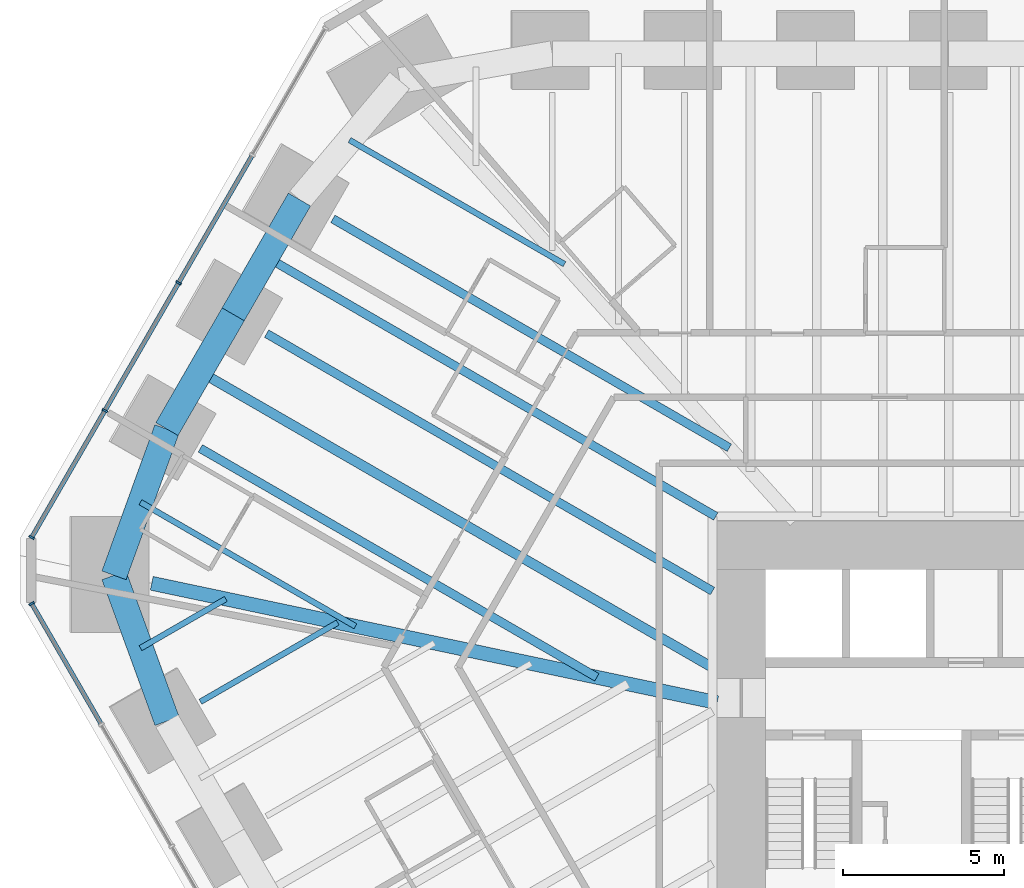
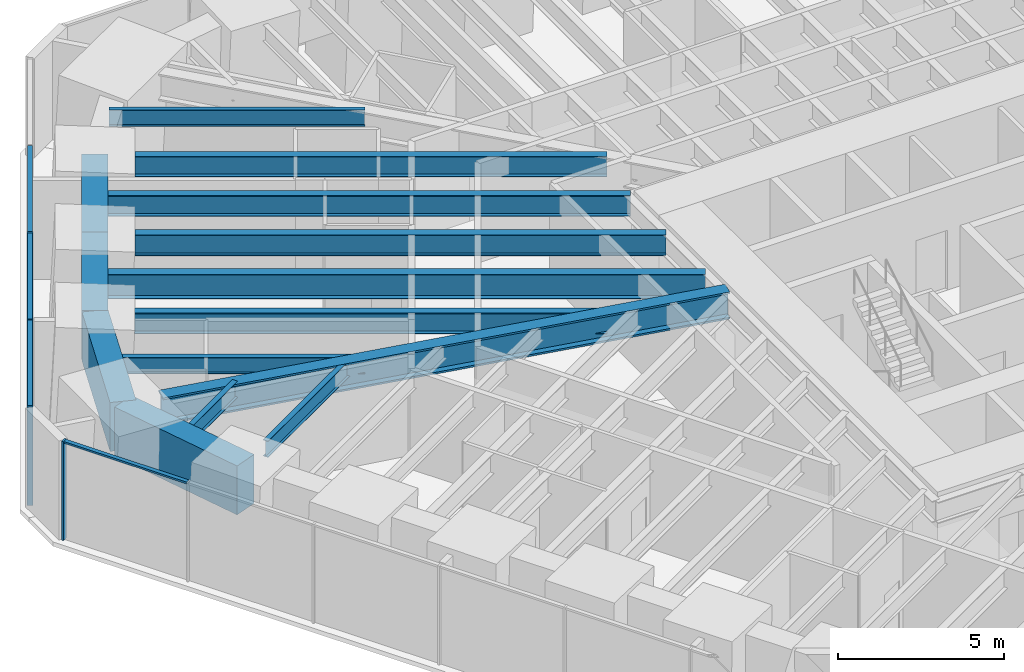
# One storey, part 7 of 17: 14 beams, 8 members, 2 elements without a shape of their own.
"""IFC4 building model written with IfcOpenShell, lengths in metres."""

from ifc_helpers import new_model, si_unit, direction, frame, origin, origin_2d, place, context, subcontext, project, spatial, rectangle, i_section, extrude, material, material_profile, profile_set, type_object, element, aggregate, save


model = new_model("IFC4")

# Units and contexts
model_context = context("Model", 3, precision=1e-05, world=origin(), true_north=direction((0.0, 1.0)))
body_context = subcontext(model_context, "Body", "Model", "MODEL_VIEW")
ifc_project = project(units=[si_unit("LENGTHUNIT", "METRE"), si_unit("AREAUNIT", "SQUARE_METRE"), si_unit("VOLUMEUNIT", "CUBIC_METRE"), si_unit("PLANEANGLEUNIT", "RADIAN"), si_unit("MASSUNIT", "GRAM", prefix="KILO")], contexts=[model_context])

# Site, building, storey
site_placement = place(None, origin())
site = spatial("IfcSite", under=ifc_project, at=site_placement, CompositionType="ELEMENT")
building_placement = place(site_placement, origin())
building = spatial("IfcBuilding", under=site, at=building_placement, Name="Sandreach Pilgrim Tower", CompositionType="ELEMENT")
storey_placement = place(building_placement, frame((0.0, 0.0, 68.60009765625)))
storey = spatial("IfcBuildingStorey", under=building, at=storey_placement, Name="L16", CompositionType="ELEMENT", Elevation=68.60009765625)

# Curtain wall, member
ifc_material_1 = material(Name="Aluminium framed curtain wall", Category="aluminium")
curtain_wall_type = type_object("IfcCurtainWallType", Name="Hostel tower curtain wall", PredefinedType="NOTDEFINED", material=ifc_material_1)
curtain_wall_1_placement = place(storey_placement, origin())
curtain_wall_1 = element("IfcCurtainWall", 1, at=curtain_wall_1_placement, inside=storey, type_object=curtain_wall_type, Name="CW-1 L16 SW", PredefinedType="NOTDEFINED")
ifc_material_2 = material(Name="Aluminium extrusion", Category="aluminium")
ifc_material_profile_1 = material_profile(ifc_material_2, rectangle(XDim=0.06494140625, YDim=0.179931640625, at=origin_2d()), Name="CW-1M 65X180")
ifc_profile_set_1 = profile_set([ifc_material_profile_1], Name="Aluminium extrusion")
member_type_1 = type_object("IfcMemberType", Name="CW-1 mullion", PredefinedType="MULLION", material=ifc_profile_set_1)
member_1_placement = place(storey_placement, frame((-30.56005859375, 5.033935546875, 0.0), z_axis=(0.0, 0.0, 1.0), x_axis=(-0.5, 0.866025403784, 0.0)))
member_1 = element("IfcMember", 2, at=member_1_placement, type_object=member_type_1, Name="CW-1 mullion 10", PredefinedType="MULLION", context=body_context, shape_type="SweptSolid", body=[
    extrude(rectangle(XDim=0.06494140625, YDim=0.179931640625, at=origin_2d()), origin(), (0.0, 0.0, 1.0), 3.639892578125),
])

# Curtain wall, members
curtain_wall_2_placement = place(storey_placement, origin())
curtain_wall_2 = element("IfcCurtainWall", 3, at=curtain_wall_2_placement, inside=storey, type_object=curtain_wall_type, Name="CW-1 L16 NW", PredefinedType="NOTDEFINED")
member_2_placement = place(storey_placement, frame((-30.56005859375, 7.09033203125, 0.0), z_axis=(0.0, 0.0, 1.0), x_axis=(0.5, 0.866025403784, 0.0)))
member_2 = element("IfcMember", 4, at=member_2_placement, type_object=member_type_1, Name="CW-1 mullion 1", PredefinedType="MULLION", context=body_context, shape_type="SweptSolid", body=[
    extrude(rectangle(XDim=0.06494140625, YDim=0.179931640625, at=origin_2d()), origin(), (0.0, 0.0, 1.0), 3.639892578125),
])
member_3_placement = place(storey_placement, frame((-28.283203125, 11.03369140625, 0.0), z_axis=(0.0, 0.0, 1.0), x_axis=(0.5, 0.866025403784, 0.0)))
member_3 = element("IfcMember", 5, at=member_3_placement, type_object=member_type_1, Name="CW-1 mullion 2", PredefinedType="MULLION", context=body_context, shape_type="SweptSolid", body=[
    extrude(rectangle(XDim=0.06494140625, YDim=0.179931640625, at=origin_2d()), origin(), (0.0, 0.0, 1.0), 3.639892578125),
])
member_4_placement = place(storey_placement, frame((-25.990234375, 15.00537109375, 0.0), z_axis=(0.0, 0.0, 1.0), x_axis=(0.5, 0.866025403784, 0.0)))
member_4 = element("IfcMember", 6, at=member_4_placement, type_object=member_type_1, Name="CW-1 mullion 3", PredefinedType="MULLION", context=body_context, shape_type="SweptSolid", body=[
    extrude(rectangle(XDim=0.06494140625, YDim=0.179931640625, at=origin_2d()), origin(), (0.0, 0.0, 1.0), 3.639892578125),
])

# Member
ifc_material_3 = material(Name="Aluminium extrusion", Category="aluminium")
ifc_material_profile_2 = material_profile(ifc_material_3, rectangle(XDim=0.139892578125, YDim=0.070068359375, at=origin_2d()), Name="CW-1T 140X70")
ifc_profile_set_2 = profile_set([ifc_material_profile_2], Name="Aluminium extrusion")
member_type_2 = type_object("IfcMemberType", Name="CW-1 transom", PredefinedType="USERDEFINED", material=ifc_profile_set_2)
member_5_placement = place(storey_placement, frame((-28.40673828125, 1.304443359375, 3.60498046875), z_axis=(-0.499991113271, 0.866030534479, 0.0), x_axis=(-0.866030534479, -0.499991113271, 0.0)))
member_5 = element("IfcMember", 7, at=member_5_placement, type_object=member_type_2, Name="CW-1 head transom 9", ObjectType="TRANSOM", PredefinedType="USERDEFINED", context=body_context, shape_type="SweptSolid", body=[
    extrude(rectangle(XDim=0.139892578125, YDim=0.070068359375, at=origin_2d()), origin(), (0.0, 0.0, 1.0), 4.27392578125),
])

aggregate(curtain_wall_1, [member_1, member_5])

member_6_placement = place(storey_placement, frame((-30.543701171875, 7.118408203125, 3.60498046875), z_axis=(0.499976706761, 0.866038851724, 0.0), x_axis=(-0.866038851724, 0.499976706761, 0.0)))
member_6 = element("IfcMember", 8, at=member_6_placement, type_object=member_type_2, Name="CW-1 head transom 1", ObjectType="TRANSOM", PredefinedType="USERDEFINED", context=body_context, shape_type="SweptSolid", body=[
    extrude(rectangle(XDim=0.139892578125, YDim=0.070068359375, at=origin_2d()), origin(), (0.0, 0.0, 1.0), 4.488525390625),
])

member_7_placement = place(storey_placement, frame((-28.266845703125, 11.06201171875, 3.60498046875), z_axis=(0.500001366228, 0.866024614991, 0.0), x_axis=(-0.866024614991, 0.500001366228, 0.0)))
member_7 = element("IfcMember", 9, at=member_7_placement, type_object=member_type_2, Name="CW-1 head transom 2", ObjectType="TRANSOM", PredefinedType="USERDEFINED", context=body_context, shape_type="SweptSolid", body=[
    extrude(rectangle(XDim=0.139892578125, YDim=0.070068359375, at=origin_2d()), origin(), (0.0, 0.0, 1.0), 4.52099609375),
])

member_8_placement = place(storey_placement, frame((-25.973876953125, 15.03369140625, 3.60498046875), z_axis=(0.500001366228, 0.866024614991, 0.0), x_axis=(-0.866024614991, 0.500001366228, 0.0)))
member_8 = element("IfcMember", 10, at=member_8_placement, type_object=member_type_2, Name="CW-1 head transom 3", ObjectType="TRANSOM", PredefinedType="USERDEFINED", context=body_context, shape_type="SweptSolid", body=[
    extrude(rectangle(XDim=0.139892578125, YDim=0.070068359375, at=origin_2d()), origin(), (0.0, 0.0, 1.0), 4.52099609375),
])

aggregate(curtain_wall_2, [member_2, member_3, member_4, member_6, member_7, member_8])

# Beams
ifc_material_4 = material(Name="Steel ASTM A992 Grade 50", Category="steel")
ifc_material_profile_3 = material_profile(ifc_material_4, i_section(OverallWidth=0.434326171875, OverallDepth=0.998291015625, WebThickness=0.0380859375, FlangeThickness=0.068115234375, at=origin_2d()), Name="W36X487")
ifc_profile_set_3 = profile_set([ifc_material_profile_3], Name="Steel ASTM A992 Grade 50")
beam_type_1 = type_object("IfcBeamType", Name="Corner girder W36X487", PredefinedType="BEAM", material=ifc_profile_set_3)
beam_1_placement = place(storey_placement, frame((-26.826416015625, 5.663818359375, 3.140869140625), z_axis=(0.978430224976, -0.20657757587, 0.0), x_axis=(0.20657757587, 0.978430224976, 0.0)))
element("IfcBeam", 11, at=beam_1_placement, inside=storey, type_object=beam_type_1, Name="BM L16 CG35", PredefinedType="BEAM", context=body_context, shape_type="SweptSolid", body=[
    extrude(i_section(OverallWidth=0.434326171875, OverallDepth=0.998291015625, WebThickness=0.0380859375, FlangeThickness=0.068115234375, at=origin_2d()), origin(), (0.0, 0.0, 1.0), 17.9638671875),
])
ifc_material_5 = material(Name="Steel ASTM A992 Grade 50", Category="steel")
ifc_material_profile_4 = material_profile(ifc_material_5, i_section(OverallWidth=0.1787109375, OverallDepth=0.60205078125, WebThickness=0.010986328125, FlangeThickness=0.014892578125, at=origin_2d()), Name="W24X62")
ifc_profile_set_4 = profile_set([ifc_material_profile_4], Name="Steel ASTM A992 Grade 50")
beam_type_2 = type_object("IfcBeamType", Name="Floor beam W24X62", PredefinedType="BEAM", material=ifc_profile_set_4)
beam_2_placement = place(storey_placement, frame((-25.312255859375, 1.9814453125, 3.3388671875), z_axis=(0.86601964755, 0.500009969958, 0.0), x_axis=(-0.500009969958, 0.86601964755, 0.0)))
element("IfcBeam", 12, at=beam_2_placement, inside=storey, type_object=beam_type_2, Name="BM L16 F34", PredefinedType="BEAM", context=body_context, shape_type="SweptSolid", body=[
    extrude(i_section(OverallWidth=0.1787109375, OverallDepth=0.60205078125, WebThickness=0.010986328125, FlangeThickness=0.014892578125, at=origin_2d()), origin(), (0.0, 0.0, 1.0), 4.9248046875),
])
beam_3_placement = place(storey_placement, frame((-27.176025390625, 3.646728515625, 3.3388671875), z_axis=(0.866051500264, 0.499954796847, 0.0), x_axis=(-0.499954796847, 0.866051500264, 0.0)))
element("IfcBeam", 13, at=beam_3_placement, inside=storey, type_object=beam_type_2, Name="BM L16 FM34", PredefinedType="BEAM", context=body_context, shape_type="SweptSolid", body=[
    extrude(i_section(OverallWidth=0.1787109375, OverallDepth=0.60205078125, WebThickness=0.010986328125, FlangeThickness=0.014892578125, at=origin_2d()), origin(), (0.0, 0.0, 1.0), 3.062255859375),
])
for number, where, z_axis, x_axis, name in (
    (14, (-27.177490234375, 8.185302734375, 3.3388671875), (0.866020666339, -0.500008205406, 0.0), (0.500008205406, 0.866020666339, 0.0), "BM L16 FM35"),
    (15, (-20.67724609375, 19.44384765625, 3.3388671875), (0.866012755734, -0.500021906426, 0.0), (0.500021906426, 0.866012755734, 0.0), "BM L16 FM38"),
):
    element("IfcBeam", number, at=place(storey_placement, frame(where, z_axis=z_axis, x_axis=x_axis)), inside=storey, type_object=beam_type_2, Name=name, PredefinedType="BEAM", context=body_context, shape_type="SweptSolid", body=[
        extrude(i_section(OverallWidth=0.1787109375, OverallDepth=0.60205078125, WebThickness=0.010986328125, FlangeThickness=0.014892578125, at=origin_2d()), origin(), (0.0, 0.0, 1.0), 7.716064453125),
    ])
ifc_material_6 = material(Name="Steel ASTM A992 Grade 50", Category="steel")
ifc_material_profile_5 = material_profile(ifc_material_6, i_section(OverallWidth=0.2666015625, OverallDepth=0.761962890625, WebThickness=0.014404296875, FlangeThickness=0.021484375, at=origin_2d()), Name="W30X116")
ifc_profile_set_5 = profile_set([ifc_material_profile_5], Name="Steel ASTM A992 Grade 50")
beam_type_3 = type_object("IfcBeamType", Name="Floor beam W30X116", PredefinedType="BEAM", material=ifc_profile_set_5)
for number, where, z_axis, x_axis, name in (
    (16, (-25.315185546875, 9.858642578125, 3.2587890625), (0.866025039732, -0.500000630557, 0.0), (0.500000630557, 0.866025039732, 0.0), "BM L16 F36"),
    (17, (-21.1953125, 16.994140625, 3.2587890625), (0.866025039732, -0.500000630557, 0.0), (0.500000630557, 0.866025039732, 0.0), "BM L16 F38"),
):
    element("IfcBeam", number, at=place(storey_placement, frame(where, z_axis=z_axis, x_axis=x_axis)), inside=storey, type_object=beam_type_3, Name=name, PredefinedType="BEAM", context=body_context, shape_type="SweptSolid", body=[
        extrude(i_section(OverallWidth=0.2666015625, OverallDepth=0.761962890625, WebThickness=0.014404296875, FlangeThickness=0.021484375, at=origin_2d()), origin(), (0.0, 0.0, 1.0), 14.23193359375),
    ])
ifc_material_7 = material(Name="Steel ASTM A992 Grade 50", Category="steel")
ifc_material_profile_6 = material_profile(ifc_material_7, i_section(OverallWidth=0.2666015625, OverallDepth=0.77978515625, WebThickness=0.0166015625, FlangeThickness=0.030029296875, at=origin_2d()), Name="W30X148")
ifc_profile_set_6 = profile_set([ifc_material_profile_6], Name="Steel ASTM A992 Grade 50")
beam_type_4 = type_object("IfcBeamType", Name="Floor beam W30X148", PredefinedType="BEAM", material=ifc_profile_set_6)
beam_4_placement = place(storey_placement, frame((-23.255126953125, 13.426513671875, 3.25), z_axis=(0.866024040474, -0.500002361316, 0.0), x_axis=(0.500002361316, 0.866024040474, 0.0)))
element("IfcBeam", 18, at=beam_4_placement, inside=storey, type_object=beam_type_4, Name="BM L16 F37", PredefinedType="BEAM", context=body_context, shape_type="SweptSolid", body=[
    extrude(i_section(OverallWidth=0.2666015625, OverallDepth=0.77978515625, WebThickness=0.0166015625, FlangeThickness=0.030029296875, at=origin_2d()), origin(), (0.0, 0.0, 1.0), 16.00634765625),
])
beam_5_placement = place(storey_placement, frame((-23.264404296875, 15.810302734375, 3.25), z_axis=(0.866027587406, -0.499996217838, 0.0), x_axis=(0.499996217838, 0.866027587406, 0.0)))
element("IfcBeam", 19, at=beam_5_placement, inside=storey, type_object=beam_type_4, Name="BM L16 FM37", PredefinedType="BEAM", context=body_context, shape_type="SweptSolid", body=[
    extrude(i_section(OverallWidth=0.2666015625, OverallDepth=0.77978515625, WebThickness=0.0166015625, FlangeThickness=0.030029296875, at=origin_2d()), origin(), (0.0, 0.0, 1.0), 16.1337890625),
])
ifc_material_8 = material(Name="Steel ASTM A992 Grade 50", Category="steel")
ifc_material_profile_7 = material_profile(ifc_material_8, i_section(OverallWidth=0.3046875, OverallDepth=0.914306640625, WebThickness=0.0166015625, FlangeThickness=0.02587890625, at=origin_2d()), Name="W36X160")
ifc_profile_set_7 = profile_set([ifc_material_profile_7], Name="Steel ASTM A992 Grade 50")
beam_type_5 = type_object("IfcBeamType", Name="Floor beam W36X160", PredefinedType="BEAM", material=ifc_profile_set_7)
beam_6_placement = place(storey_placement, frame((-25.324462890625, 12.242431640625, 3.1826171875), z_axis=(0.866027785622, -0.499995874514, 0.0), x_axis=(0.499995874514, 0.866027785622, 0.0)))
element("IfcBeam", 20, at=beam_6_placement, inside=storey, type_object=beam_type_5, Name="BM L16 FM36", PredefinedType="BEAM", context=body_context, shape_type="SweptSolid", body=[
    extrude(i_section(OverallWidth=0.3046875, OverallDepth=0.914306640625, WebThickness=0.0166015625, FlangeThickness=0.02587890625, at=origin_2d()), origin(), (0.0, 0.0, 1.0), 18.395751953125),
])
ifc_material_9 = material(Name="Concrete 10000 psi", Category="concrete")
ifc_material_profile_8 = material_profile(ifc_material_9, rectangle(XDim=0.800048828125, YDim=1.800048828125, at=origin_2d()), Name="RC800X1800")
ifc_profile_set_8 = profile_set([ifc_material_profile_8], Name="Concrete 10000 psi")
beam_type_6 = type_object("IfcBeamType", Name="Spandrel beam RC800X1800", PredefinedType="SPANDREL", material=ifc_profile_set_8)
beam_7_placement = place(storey_placement, frame((-26.351318359375, 1.38134765625, 2.739990234375), z_axis=(-0.342056109359, 0.939679529441, 0.0), x_axis=(-0.939679529441, -0.342056109359, 0.0)))
element("IfcBeam", 21, at=beam_7_placement, inside=storey, type_object=beam_type_6, Name="BM L16 SP34", PredefinedType="SPANDREL", context=body_context, shape_type="SweptSolid", body=[
    extrude(rectangle(XDim=0.800048828125, YDim=1.800048828125, at=origin_2d()), origin(), (0.0, 0.0, 1.0), 4.8212890625),
])
beam_8_placement = place(storey_placement, frame((-28.00048828125, 5.911865234375, 2.739990234375), z_axis=(0.340449549345, 0.940262784732, 0.0), x_axis=(-0.940262784732, 0.340449549345, 0.0)))
element("IfcBeam", 22, at=beam_8_placement, inside=storey, type_object=beam_type_6, Name="BM L16 SP35", PredefinedType="SPANDREL", context=body_context, shape_type="SweptSolid", body=[
    extrude(rectangle(XDim=0.800048828125, YDim=1.800048828125, at=origin_2d()), origin(), (0.0, 0.0, 1.0), 4.83544921875),
])
for number, where, z_axis, x_axis, name in (
    (23, (-26.354248046875, 10.45849609375, 2.739990234375), (0.499982362409, 0.866035586613, 0.0), (-0.866035586613, 0.499982362409, 0.0), "BM L16 SP36"),
    (24, (-24.29443359375, 14.0263671875, 2.739990234375), (0.499982362409, 0.866035586613, 0.0), (-0.866035586613, 0.499982362409, 0.0), "BM L16 SP37"),
):
    element("IfcBeam", number, at=place(storey_placement, frame(where, z_axis=z_axis, x_axis=x_axis)), inside=storey, type_object=beam_type_6, Name=name, PredefinedType="SPANDREL", context=body_context, shape_type="SweptSolid", body=[
        extrude(rectangle(XDim=0.800048828125, YDim=1.800048828125, at=origin_2d()), origin(), (0.0, 0.0, 1.0), 4.119873046875),
    ])

save(model, "model.ifc")
